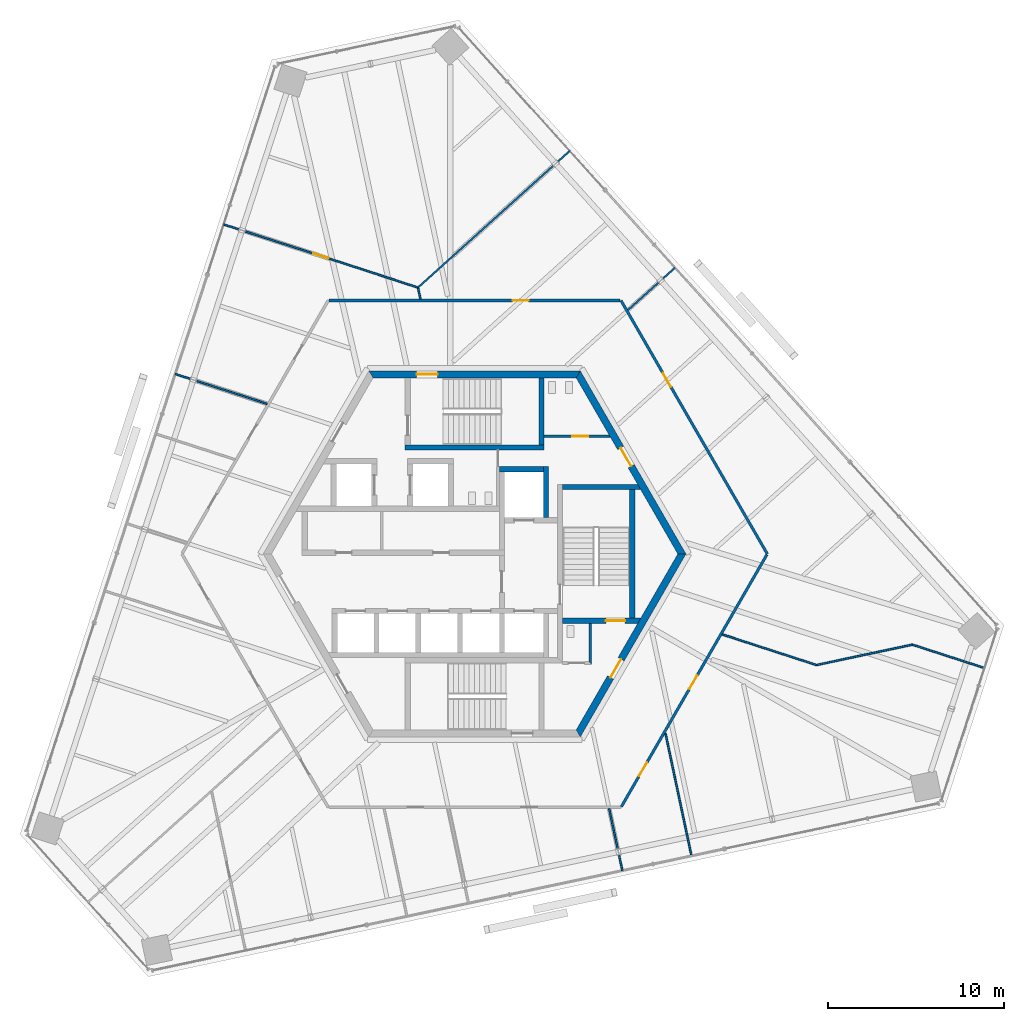
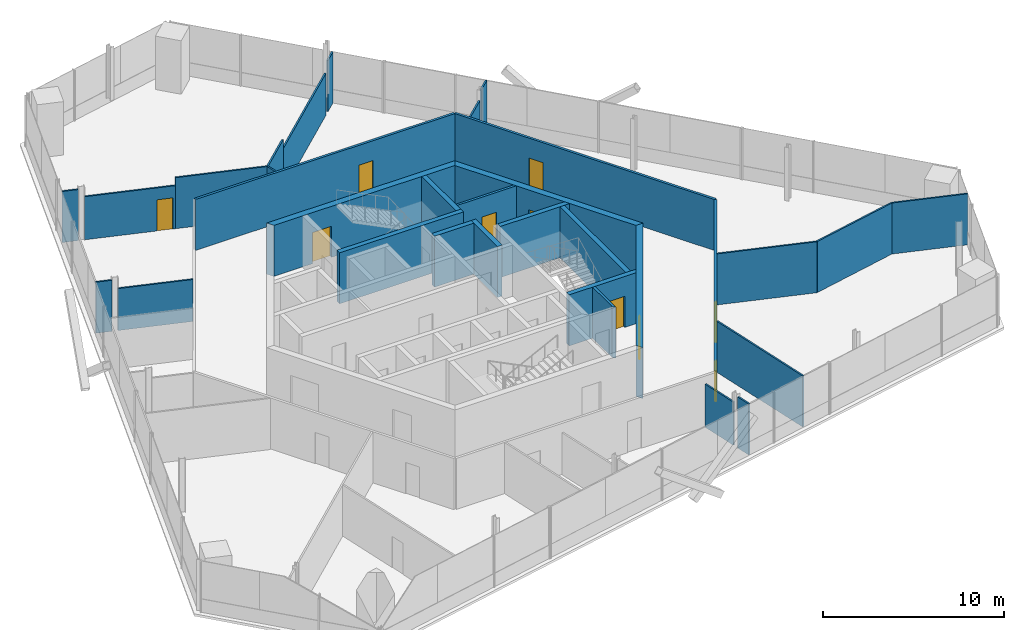
# One storey, part 12 of 15: 32 walls, 10 doors, 10 openings.
"""IFC4 building model written with IfcOpenShell, lengths in metres."""

from ifc_helpers import new_model, si_unit, direction, frame, frame_2d, origin, place, context, subcontext, project, spatial, polyline, rectangle, outline, extrude, source, transform, mapped, material, layer, layer_set, type_object, element, fill, save


model = new_model("IFC4")

# Units and contexts
model_context = context("Model", 3, precision=1e-05, world=origin(), true_north=direction((0.0, 1.0)))
body_context = subcontext(model_context, "Body", "Model", "MODEL_VIEW")
ifc_project = project(units=[si_unit("LENGTHUNIT", "METRE"), si_unit("AREAUNIT", "SQUARE_METRE"), si_unit("VOLUMEUNIT", "CUBIC_METRE"), si_unit("PLANEANGLEUNIT", "RADIAN"), si_unit("MASSUNIT", "GRAM", prefix="KILO")], contexts=[model_context])

# Site, building, storey
site_placement = place(None, origin())
site = spatial("IfcSite", under=ifc_project, at=site_placement, CompositionType="ELEMENT")
building_placement = place(site_placement, origin())
building = spatial("IfcBuilding", under=site, at=building_placement, Name="Triune Harvest Tower", CompositionType="ELEMENT")
storey_placement = place(building_placement, frame((0.0, 0.0, 277.5)))
storey = spatial("IfcBuildingStorey", under=building, at=storey_placement, Name="L73", CompositionType="ELEMENT", Elevation=277.5)

# Wall, opening, door
ifc_material_1 = material(Name="Gypsum board on steel studs", Category="steel")
ifc_layer_1 = layer(ifc_material_1, 0.14990234375)
ifc_layer_set_1 = layer_set([ifc_layer_1], Name="Gypsum board on steel studs")
wall_type_1 = type_object("IfcWallType", Name="Fire Partition 150 mm", PredefinedType="PARTITIONING", material=ifc_layer_set_1)
wall_1_placement = place(storey_placement, frame((8.30908203125, 14.392578125, 0.0), z_axis=(0.0, 0.0, 1.0), x_axis=(0.49998143435, -0.866036122402, 0.0)))
wall_1 = element("IfcWall", 1, at=wall_1_placement, inside=storey, type_object=wall_type_1, Name="Partition L73 010", PredefinedType="PARTITIONING", context=body_context, shape_type="SweptSolid", body=[
    extrude(rectangle(XDim=16.619873046875, YDim=0.14990234375, at=frame_2d((8.31005859375, 0.0))), origin(), (0.0, 0.0, 1.0), 3.43994140625),
])
opening_1_placement = place(wall_1_placement, frame((4.764404296875, 0.0, 0.0)))
opening_1 = element("IfcOpeningElement", 2, at=opening_1_placement, cuts=wall_1, Name="Opening L73-001", PredefinedType="OPENING", context=body_context, shape_type="SweptSolid", body=[
    extrude(rectangle(XDim=0.89990234375, YDim=2.10009765625, at=frame_2d((0.449951171875, 1.050048828125))), frame((0.0, 0.0849609375, 0.0), z_axis=(0.0, -1.0, 0.0), x_axis=(1.0, 0.0, 0.0)), (0.0, 0.0, 1.0), 0.169921875),
])
ifc_material_2 = material(Name="Timber and steel door set", Category="steel")
door_type_1 = type_object("IfcDoorType", Name="Single leaf door FD30 left hand 900 x 2100", OperationType="SINGLE_SWING_LEFT", PredefinedType="DOOR", material=ifc_material_2)
door_1_placement = place(opening_1_placement, origin())
door_1 = element("IfcDoor", 3, at=door_1_placement, inside=storey, type_object=door_type_1, Name="Door L73-001 Executive Suite 73.01", OperationType="SINGLE_SWING_LEFT", OverallHeight=2.10009765625, OverallWidth=0.89990234375, PredefinedType="DOOR", context=body_context, shape_type="SweptSolid", body=[
    extrude(rectangle(XDim=0.89990234375, YDim=2.10009765625, at=frame_2d((0.449951171875, 1.050048828125))), frame((0.0, 0.02490234375, 0.0), z_axis=(0.0, -1.0, 0.0), x_axis=(1.0, 0.0, 0.0)), (0.0, 0.0, 1.0), 0.050048828125),
])
fill(opening_1, door_1)

wall_2_placement = place(storey_placement, frame((-8.259521484375, 14.392333984375, 0.0), z_axis=(0.0, 0.0, 1.0), x_axis=(1.0, 0.0, 0.0)))
wall_2 = element("IfcWall", 4, at=wall_2_placement, inside=storey, type_object=wall_type_1, Name="Partition L73 022", PredefinedType="PARTITIONING", context=body_context, shape_type="SweptSolid", body=[
    extrude(rectangle(XDim=16.51904296875, YDim=0.14990234375, at=frame_2d((8.259521484375, 0.0))), origin(), (0.0, 0.0, 1.0), 3.43994140625),
])
opening_2_placement = place(wall_2_placement, frame((10.418701171875, 0.0, 0.0)))
opening_2 = element("IfcOpeningElement", 5, at=opening_2_placement, cuts=wall_2, Name="Opening L73-002", PredefinedType="OPENING", context=body_context, shape_type="SweptSolid", body=[
    extrude(rectangle(XDim=0.89990234375, YDim=2.10009765625, at=frame_2d((0.449951171875, 1.050048828125))), frame((0.0, 0.0849609375, 0.0), z_axis=(0.0, -1.0, 0.0), x_axis=(1.0, 0.0, 0.0)), (0.0, 0.0, 1.0), 0.169921875),
])
ifc_material_3 = material(Name="Timber and steel door set", Category="steel")
door_type_2 = type_object("IfcDoorType", Name="Single leaf door FD30 right hand 900 x 2100", OperationType="SINGLE_SWING_RIGHT", PredefinedType="DOOR", material=ifc_material_3)
door_2_placement = place(opening_2_placement, origin())
door_2 = element("IfcDoor", 6, at=door_2_placement, inside=storey, type_object=door_type_2, Name="Door L73-002 Office 73.02", OperationType="SINGLE_SWING_RIGHT", OverallHeight=2.10009765625, OverallWidth=0.89990234375, PredefinedType="DOOR", context=body_context, shape_type="SweptSolid", body=[
    extrude(rectangle(XDim=0.89990234375, YDim=2.10009765625, at=frame_2d((0.449951171875, 1.050048828125))), frame((0.0, 0.02490234375, 0.0), z_axis=(0.0, -1.0, 0.0), x_axis=(1.0, 0.0, 0.0)), (0.0, 0.0, 1.0), 0.050048828125),
])
fill(opening_2, door_2)

# Wall, openings, doors
wall_3_placement = place(storey_placement, frame((8.33447265625, -14.34912109375, 0.0), z_axis=(0.0, 0.0, 1.0), x_axis=(0.499988984938, 0.86603176324, 0.0)))
wall_3 = element("IfcWall", 7, at=wall_3_placement, inside=storey, type_object=wall_type_1, Name="Partition L73 030", PredefinedType="PARTITIONING", context=body_context, shape_type="SweptSolid", body=[
    extrude(rectangle(XDim=16.518798828125, YDim=0.14990234375, at=frame_2d((8.25927734375, 0.0))), origin(), (0.0, 0.0, 1.0), 3.43994140625),
])
opening_3_placement = place(wall_3_placement, frame((2.0, 0.0, 0.0)))
opening_3 = element("IfcOpeningElement", 8, at=opening_3_placement, cuts=wall_3, Name="Opening L73-013", PredefinedType="OPENING", context=body_context, shape_type="SweptSolid", body=[
    extrude(rectangle(XDim=0.89990234375, YDim=2.10009765625, at=frame_2d((0.449951171875, 1.050048828125))), frame((0.0, 0.0849609375, 0.0), z_axis=(0.0, -1.0, 0.0), x_axis=(1.0, 0.0, 0.0)), (0.0, 0.0, 1.0), 0.169921875),
])
opening_4_placement = place(wall_3_placement, frame((7.700927734375, 0.0, 0.0)))
opening_4 = element("IfcOpeningElement", 9, at=opening_4_placement, cuts=wall_3, Name="Opening L73-014", PredefinedType="OPENING", context=body_context, shape_type="SweptSolid", body=[
    extrude(rectangle(XDim=0.89990234375, YDim=2.10009765625, at=frame_2d((0.449951171875, 1.050048828125))), frame((0.0, 0.0849609375, 0.0), z_axis=(0.0, -1.0, 0.0), x_axis=(1.0, 0.0, 0.0)), (0.0, 0.0, 1.0), 0.169921875),
])
door_3_placement = place(opening_3_placement, origin())
door_3 = element("IfcDoor", 10, at=door_3_placement, inside=storey, type_object=door_type_2, Name="Door L73-013 Office 73.13", OperationType="SINGLE_SWING_RIGHT", OverallHeight=2.10009765625, OverallWidth=0.89990234375, PredefinedType="DOOR", context=body_context, shape_type="SweptSolid", body=[
    extrude(rectangle(XDim=0.89990234375, YDim=2.10009765625, at=frame_2d((0.449951171875, 1.050048828125))), frame((0.0, 0.02490234375, 0.0), z_axis=(0.0, -1.0, 0.0), x_axis=(1.0, 0.0, 0.0)), (0.0, 0.0, 1.0), 0.050048828125),
])
fill(opening_3, door_3)
door_4_placement = place(opening_4_placement, origin())
door_4 = element("IfcDoor", 11, at=door_4_placement, inside=storey, type_object=door_type_2, Name="Door L73-014 Office 73.14", OperationType="SINGLE_SWING_RIGHT", OverallHeight=2.10009765625, OverallWidth=0.89990234375, PredefinedType="DOOR", context=body_context, shape_type="SweptSolid", body=[
    extrude(rectangle(XDim=0.89990234375, YDim=2.10009765625, at=frame_2d((0.449951171875, 1.050048828125))), frame((0.0, 0.02490234375, 0.0), z_axis=(0.0, -1.0, 0.0), x_axis=(1.0, 0.0, 0.0)), (0.0, 0.0, 1.0), 0.050048828125),
])
fill(opening_4, door_4)

# Walls
ifc_material_4 = material(Name="Gypsum board on steel studs", Category="steel")
ifc_layer_2 = layer(ifc_material_4, 0.10009765625)
ifc_layer_set_2 = layer_set([ifc_layer_2], Name="Gypsum board on steel studs")
wall_type_2 = type_object("IfcWallType", Name="Partition 100 mm", PredefinedType="PARTITIONING", material=ifc_layer_set_2)
wall_4_placement = place(storey_placement, frame((-3.2109375, 15.106201171875, 0.0), z_axis=(0.0, 0.0, 1.0), x_axis=(0.207911850433, -0.978147566806, 0.0)))
element("IfcWall", 12, at=wall_4_placement, inside=storey, type_object=wall_type_2, Name="Partition L73 005", PredefinedType="PARTITIONING", context=body_context, shape_type="SweptSolid", body=[
    extrude(rectangle(XDim=0.659912109375, YDim=0.10009765625, at=frame_2d((0.330078125, 0.0))), origin(), (0.0, 0.0, 1.0), 3.43994140625),
])
wall_5_placement = place(storey_placement, frame((7.6376953125, -14.461181640625, 0.0), z_axis=(0.0, 0.0, 1.0), x_axis=(0.207954797285, -0.978138437179, 0.0)))
element("IfcWall", 13, at=wall_5_placement, inside=storey, type_object=wall_type_2, Name="Partition L73 006", PredefinedType="PARTITIONING", context=body_context, shape_type="SweptSolid", body=[
    extrude(rectangle(XDim=2.341064453125, YDim=0.10009765625, at=frame_2d((1.17041015625, 0.0))), origin(), (0.0, 0.0, 1.0), 2.904052734375),
])
wall_6_placement = place(storey_placement, frame((10.8388671875, -10.198486328125, 0.0), z_axis=(0.0, 0.0, 1.0), x_axis=(0.207910979504, -0.978147751928, 0.0)))
element("IfcWall", 14, at=wall_6_placement, inside=storey, type_object=wall_type_2, Name="Partition L73 008", PredefinedType="PARTITIONING", context=body_context, shape_type="SweptSolid", body=[
    extrude(rectangle(XDim=7.100830078125, YDim=0.10009765625, at=frame_2d((3.55029296875, 0.0))), origin(), (0.0, 0.0, 1.0), 3.43994140625),
])
wall_7_placement = place(storey_placement, frame((14.060302734375, -4.568359375, 0.0), z_axis=(0.0, 0.0, 1.0), x_axis=(0.951053501337, -0.309026273307, 0.0)))
element("IfcWall", 15, at=wall_7_placement, inside=storey, type_object=wall_type_2, Name="Partition L73 014", PredefinedType="PARTITIONING", context=body_context, shape_type="SweptSolid", body=[
    extrude(rectangle(XDim=5.63134765625, YDim=0.10009765625, at=frame_2d((2.815673828125, 0.0))), origin(), (0.0, 0.0, 1.0), 3.43994140625),
])
wall_8_placement = place(storey_placement, frame((24.87158203125, -5.154052734375, 0.0), z_axis=(0.0, 0.0, 1.0), x_axis=(0.951068352343, -0.308980564391, 0.0)))
element("IfcWall", 16, at=wall_8_placement, inside=storey, type_object=wall_type_2, Name="Partition L73 016", PredefinedType="PARTITIONING", context=body_context, shape_type="SweptSolid", body=[
    extrude(rectangle(XDim=4.29052734375, YDim=0.10009765625, at=frame_2d((2.145263671875, 0.0))), origin(), (0.0, 0.0, 1.0), 3.43994140625),
])
wall_9_placement = place(storey_placement, frame((-8.16064453125, 16.73291015625, 0.0), z_axis=(0.0, 0.0, 1.0), x_axis=(0.951050346019, -0.309035983887, 0.0)))
element("IfcWall", 17, at=wall_9_placement, inside=storey, type_object=wall_type_2, Name="Partition L73 020a", PredefinedType="PARTITIONING", context=body_context, shape_type="SweptSolid", body=[
    extrude(rectangle(XDim=5.18017578125, YDim=0.10009765625, at=frame_2d((2.590087890625, 0.0))), origin(), (0.0, 0.0, 1.0), 3.43994140625),
])
wall_10_placement = place(storey_placement, frame((-3.215087890625, 15.125732421875, 0.0), z_axis=(0.0, 0.0, 1.0), x_axis=(0.743140047759, 0.669135912515, 0.0)))
element("IfcWall", 18, at=wall_10_placement, inside=storey, type_object=wall_type_2, Name="Partition L73 028", PredefinedType="PARTITIONING", context=body_context, shape_type="SweptSolid", body=[
    extrude(rectangle(XDim=2.6787109375, YDim=0.10009765625, at=frame_2d((1.33935546875, 0.0))), origin(), (0.0, 0.0, 1.0), 3.43994140625),
])

# Wall, opening, door
ifc_material_5 = material(Name="Concrete 70 MPa", Category="concrete")
ifc_layer_3 = layer(ifc_material_5, 0.39990234375)
ifc_layer_set_3 = layer_set([ifc_layer_3], Name="Concrete 70 MPa")
wall_type_3 = type_object("IfcWallType", Name="Core wall 400", PredefinedType="SHEAR", material=ifc_layer_set_3)
shared_shape_1 = source(origin(), body_context, "Body", "SweptSolid", [
    extrude(outline(polyline([(-0.115478515625, -0.199951171875), (11.884521484375, -0.199951171875), (11.653564453125, 0.199951171875), (0.115478515625, 0.199951171875), (-0.115478515625, -0.199951171875)])), origin(), (0.0, 0.0, 1.0), 3.43994140625),
])
wall_11_placement = place(storey_placement, frame((11.76904296875, 0.0, 0.0), z_axis=(0.0, 0.0, 1.0), x_axis=(-0.499996592174, 0.866027371285, 0.0)))
wall_11 = element("IfcWall", 19, at=wall_11_placement, inside=storey, type_object=wall_type_3, Name="Hexagon 0 wall", PredefinedType="SHEAR", context=body_context, shape_type="MappedRepresentation", body=[
    mapped(shared_shape_1, transform((0.0, 0.0, 0.0), scale=1.0)),
])
opening_5_placement = place(wall_11_placement, frame((5.75048828125, 0.0, 0.0)))
opening_5 = element("IfcOpeningElement", 20, at=opening_5_placement, cuts=wall_11, Name="Opening CD-WCP", PredefinedType="OPENING", context=body_context, shape_type="SweptSolid", body=[
    extrude(rectangle(XDim=1.199951171875, YDim=2.10009765625, at=frame_2d((0.60009765625, 1.050048828125))), frame((0.0, 0.2099609375, 0.0), z_axis=(0.0, -1.0, 0.0), x_axis=(1.0, 0.0, 0.0)), (0.0, 0.0, 1.0), 0.419921875),
])
ifc_material_6 = material(Name="Steel S235", Category="steel")
door_type_3 = type_object("IfcDoorType", Name="Lobby door 1200 FD120", OperationType="SINGLE_SWING_LEFT", PredefinedType="DOOR", material=ifc_material_6)
door_5_placement = place(opening_5_placement, frame((1.199951171875, 0.0, 0.0), z_axis=(0.0, 0.0, 1.0), x_axis=(-1.0, 0.0, 0.0)))
door_5 = element("IfcDoor", 21, at=door_5_placement, inside=storey, type_object=door_type_3, Name="Door CD-WCP", OperationType="SINGLE_SWING_RIGHT", OverallHeight=2.10009765625, OverallWidth=1.199951171875, PredefinedType="DOOR", context=body_context, shape_type="SweptSolid", body=[
    extrude(rectangle(XDim=1.199951171875, YDim=2.10009765625, at=frame_2d((0.60009765625, 1.050048828125))), frame((0.0, 0.02490234375, 0.0), z_axis=(0.0, -1.0, 0.0), x_axis=(1.0, 0.0, 0.0)), (0.0, 0.0, 1.0), 0.050048828125),
])
fill(opening_5, door_5)

wall_12_placement = place(storey_placement, frame((5.884521484375, 10.1923828125, 0.0), z_axis=(0.0, 0.0, 1.0), x_axis=(-1.0, 0.0, 0.0)))
wall_12 = element("IfcWall", 22, at=wall_12_placement, inside=storey, type_object=wall_type_3, Name="Hexagon 1 wall", PredefinedType="SHEAR", context=body_context, shape_type="MappedRepresentation", body=[
    mapped(shared_shape_1, transform((0.0, 0.0, 0.0), scale=1.0)),
])
opening_6_placement = place(wall_12_placement, frame((7.984619140625, 0.0, 0.0)))
opening_6 = element("IfcOpeningElement", 23, at=opening_6_placement, cuts=wall_12, Name="Opening CD-S1P", PredefinedType="OPENING", context=body_context, shape_type="SweptSolid", body=[
    extrude(rectangle(XDim=1.199951171875, YDim=2.10009765625, at=frame_2d((0.60009765625, 1.050048828125))), frame((0.0, 0.2099609375, 0.0), z_axis=(0.0, -1.0, 0.0), x_axis=(1.0, 0.0, 0.0)), (0.0, 0.0, 1.0), 0.419921875),
])
ifc_material_7 = material(Name="Steel S235", Category="steel")
door_type_4 = type_object("IfcDoorType", Name="Stair door 1200 FD120", OperationType="SINGLE_SWING_LEFT", PredefinedType="DOOR", material=ifc_material_7)
door_6_placement = place(opening_6_placement, frame((1.199951171875, 0.0, 0.0), z_axis=(0.0, 0.0, 1.0), x_axis=(-1.0, 0.0, 0.0)))
door_6 = element("IfcDoor", 24, at=door_6_placement, inside=storey, type_object=door_type_4, Name="Door CD-S1P", OperationType="SINGLE_SWING_RIGHT", OverallHeight=2.10009765625, OverallWidth=1.199951171875, PredefinedType="DOOR", context=body_context, shape_type="SweptSolid", body=[
    extrude(rectangle(XDim=1.199951171875, YDim=2.10009765625, at=frame_2d((0.60009765625, 1.050048828125))), frame((0.0, 0.02490234375, 0.0), z_axis=(0.0, -1.0, 0.0), x_axis=(1.0, 0.0, 0.0)), (0.0, 0.0, 1.0), 0.050048828125),
])
fill(opening_6, door_6)

wall_13_placement = place(storey_placement, frame((5.884521484375, -10.1923828125, 0.0), z_axis=(0.0, 0.0, 1.0), x_axis=(0.499996592174, 0.866027371285, 0.0)))
wall_13 = element("IfcWall", 25, at=wall_13_placement, inside=storey, type_object=wall_type_3, Name="Hexagon 5 wall", PredefinedType="SHEAR", context=body_context, shape_type="MappedRepresentation", body=[
    mapped(shared_shape_1, transform((0.0, 0.0, 0.0), scale=1.0)),
])
opening_7_placement = place(wall_13_placement, frame((3.66455078125, 0.0, 0.0)))
opening_7 = element("IfcOpeningElement", 26, at=opening_7_placement, cuts=wall_13, Name="Opening CD-DP", PredefinedType="OPENING", context=body_context, shape_type="SweptSolid", body=[
    extrude(rectangle(XDim=1.199951171875, YDim=2.10009765625, at=frame_2d((0.60009765625, 1.050048828125))), frame((0.0, 0.2099609375, 0.0), z_axis=(0.0, -1.0, 0.0), x_axis=(1.0, 0.0, 0.0)), (0.0, 0.0, 1.0), 0.419921875),
])
door_7_placement = place(opening_7_placement, frame((1.199951171875, 0.0, 0.0), z_axis=(0.0, 0.0, 1.0), x_axis=(-1.0, 0.0, 0.0)))
door_7 = element("IfcDoor", 27, at=door_7_placement, inside=storey, type_object=door_type_4, Name="Door CD-DP", OperationType="SINGLE_SWING_RIGHT", OverallHeight=2.10009765625, OverallWidth=1.199951171875, PredefinedType="DOOR", context=body_context, shape_type="SweptSolid", body=[
    extrude(rectangle(XDim=1.199951171875, YDim=2.10009765625, at=frame_2d((0.60009765625, 1.050048828125))), frame((0.0, 0.02490234375, 0.0), z_axis=(0.0, -1.0, 0.0), x_axis=(1.0, 0.0, 0.0)), (0.0, 0.0, 1.0), 0.050048828125),
])
fill(opening_7, door_7)

# Walls
ifc_material_8 = material(Name="Concrete 70 MPa", Category="concrete")
ifc_layer_4 = layer(ifc_material_8, 0.300048828125)
ifc_layer_set_4 = layer_set([ifc_layer_4], Name="Concrete 70 MPa")
wall_type_4 = type_object("IfcWallType", Name="Core wall 300", PredefinedType="SHEAR", material=ifc_layer_set_4)
shared_shape_2 = source(origin(), body_context, "Body", "SweptSolid", [
    extrude(rectangle(XDim=2.5, YDim=0.300048828125, at=frame_2d((1.25, 0.0))), origin(), (0.0, 0.0, 1.0), 3.43994140625),
])
wall_14_placement = place(storey_placement, frame((1.39990234375, 4.81005859375, 0.0), z_axis=(0.0, 0.0, 1.0), x_axis=(1.0, 0.0, 0.0)))
element("IfcWall", 28, at=wall_14_placement, inside=storey, type_object=wall_type_4, Name="Ff1 back wall", PredefinedType="SHEAR", context=body_context, shape_type="MappedRepresentation", body=[
    mapped(shared_shape_2, transform((0.0, 0.0, 0.0), scale=1.0)),
])
shared_shape_3 = source(origin(), body_context, "Body", "SweptSolid", [
    extrude(rectangle(XDim=2.89990234375, YDim=0.300048828125, at=frame_2d((1.449951171875, 0.0))), origin(), (0.0, 0.0, 1.0), 3.43994140625),
])
wall_15_placement = place(storey_placement, frame((4.050048828125, 2.06005859375, 0.0), z_axis=(0.0, 0.0, 1.0), x_axis=(0.0, 1.0, 0.0)))
element("IfcWall", 29, at=wall_15_placement, inside=storey, type_object=wall_type_4, Name="Ff1 east wall", PredefinedType="SHEAR", context=body_context, shape_type="MappedRepresentation", body=[
    mapped(shared_shape_3, transform((0.0, 0.0, 0.0), scale=1.0)),
])
shared_shape_4 = source(origin(), body_context, "Body", "SweptSolid", [
    extrude(outline(polyline([(0.0, -0.14990234375), (0.0, 0.14990234375), (4.260009765625, 0.14990234375), (4.43310546875, -0.14990234375), (0.0, -0.14990234375)])), origin(), (0.0, 0.0, 1.0), 3.43994140625),
])
wall_16_placement = place(storey_placement, frame((5.0, 3.800048828125, 0.0), z_axis=(0.0, 0.0, 1.0), x_axis=(1.0, 0.0, 0.0)))
element("IfcWall", 30, at=wall_16_placement, inside=storey, type_object=wall_type_4, Name="Stair e north wall", PredefinedType="SHEAR", context=body_context, shape_type="MappedRepresentation", body=[
    mapped(shared_shape_4, transform((0.0, 0.0, 0.0), scale=1.0)),
])

# Wall, opening, door
shared_shape_5 = source(origin(), body_context, "Body", "SweptSolid", [
    extrude(outline(polyline([(0.0, -0.14990234375), (0.0, 0.14990234375), (4.43310546875, 0.14990234375), (4.260009765625, -0.14990234375), (0.0, -0.14990234375)])), origin(), (0.0, 0.0, 1.0), 3.43994140625),
])
wall_17_placement = place(storey_placement, frame((5.0, -3.800048828125, 0.0), z_axis=(0.0, 0.0, 1.0), x_axis=(1.0, 0.0, 0.0)))
wall_17 = element("IfcWall", 31, at=wall_17_placement, inside=storey, type_object=wall_type_4, Name="Stair e south wall", PredefinedType="SHEAR", context=body_context, shape_type="MappedRepresentation", body=[
    mapped(shared_shape_5, transform((0.0, 0.0, 0.0), scale=1.0)),
])
opening_8_placement = place(wall_17_placement, frame((2.449951171875, 0.0, 0.0)))
opening_8 = element("IfcOpeningElement", 32, at=opening_8_placement, cuts=wall_17, Name="Opening CD-S3D", PredefinedType="OPENING", context=body_context, shape_type="SweptSolid", body=[
    extrude(rectangle(XDim=1.10009765625, YDim=2.10009765625, at=frame_2d((0.550048828125, 1.050048828125))), frame((0.0, 0.16015625, 0.0), z_axis=(0.0, -1.0, 0.0), x_axis=(1.0, 0.0, 0.0)), (0.0, 0.0, 1.0), 0.320068359375),
])
ifc_material_9 = material(Name="Steel S235", Category="steel")
door_type_5 = type_object("IfcDoorType", Name="Stair door 1100 FD120", OperationType="SINGLE_SWING_LEFT", PredefinedType="DOOR", material=ifc_material_9)
door_8_placement = place(opening_8_placement, frame((1.10009765625, 0.0, 0.0), z_axis=(0.0, 0.0, 1.0), x_axis=(-1.0, 0.0, 0.0)))
door_8 = element("IfcDoor", 33, at=door_8_placement, inside=storey, type_object=door_type_5, Name="Door CD-S3D", OperationType="SINGLE_SWING_RIGHT", OverallHeight=2.10009765625, OverallWidth=1.10009765625, PredefinedType="DOOR", context=body_context, shape_type="SweptSolid", body=[
    extrude(rectangle(XDim=1.10009765625, YDim=2.10009765625, at=frame_2d((0.550048828125, 1.050048828125))), frame((0.0, 0.02490234375, 0.0), z_axis=(0.0, -1.0, 0.0), x_axis=(1.0, 0.0, 0.0)), (0.0, 0.0, 1.0), 0.050048828125),
])
fill(opening_8, door_8)

# Walls
shared_shape_6 = source(origin(), body_context, "Body", "SweptSolid", [
    extrude(rectangle(XDim=7.2998046875, YDim=0.300048828125, at=frame_2d((3.64990234375, 0.0))), origin(), (0.0, 0.0, 1.0), 3.43994140625),
])
wall_18_placement = place(storey_placement, frame((8.949951171875, -3.64990234375, 0.0), z_axis=(0.0, 0.0, 1.0), x_axis=(0.0, 1.0, 0.0)))
element("IfcWall", 34, at=wall_18_placement, inside=storey, type_object=wall_type_4, Name="Stair e east wall", PredefinedType="SHEAR", context=body_context, shape_type="MappedRepresentation", body=[
    mapped(shared_shape_6, transform((0.0, 0.0, 0.0), scale=1.0)),
])
shared_shape_7 = source(origin(), body_context, "Body", "SweptSolid", [
    extrude(rectangle(XDim=7.89990234375, YDim=0.300048828125, at=frame_2d((3.949951171875, 0.0))), origin(), (0.0, 0.0, 1.0), 3.43994140625),
])
wall_19_placement = place(storey_placement, frame((-3.949951171875, 6.0400390625, 0.0), z_axis=(0.0, 0.0, 1.0), x_axis=(1.0, 0.0, 0.0)))
element("IfcWall", 35, at=wall_19_placement, inside=storey, type_object=wall_type_4, Name="Stair n south wall", PredefinedType="SHEAR", context=body_context, shape_type="MappedRepresentation", body=[
    mapped(shared_shape_7, transform((0.0, 0.0, 0.0), scale=1.0)),
])
shared_shape_8 = source(origin(), body_context, "Body", "SweptSolid", [
    extrude(outline(polyline([(0.0, -0.14990234375), (0.0, 0.14990234375), (3.80419921875, 0.14990234375), (3.80419921875, -0.14990234375), (0.0, -0.14990234375)])), origin(), (0.0, 0.0, 1.0), 3.43994140625),
])
wall_20_placement = place(storey_placement, frame((3.800048828125, 6.18994140625, 0.0), z_axis=(0.0, 0.0, 1.0), x_axis=(0.0, 1.0, 0.0)))
element("IfcWall", 36, at=wall_20_placement, inside=storey, type_object=wall_type_4, Name="Stair n east wall", PredefinedType="SHEAR", context=body_context, shape_type="MappedRepresentation", body=[
    mapped(shared_shape_8, transform((0.0, 0.0, 0.0), scale=1.0)),
])

# Wall, opening, door
ifc_material_10 = material(Name="Concrete masonry unit", Category="masonry")
ifc_layer_5 = layer(ifc_material_10, 0.14990234375)
ifc_layer_set_5 = layer_set([ifc_layer_5], Name="Concrete masonry unit")
wall_type_5 = type_object("IfcWallType", Name="Block partition 150 unrated", PredefinedType="PARTITIONING", material=ifc_layer_set_5)
shared_shape_9 = source(origin(), body_context, "Body", "SweptSolid", [
    extrude(outline(polyline([(0.0, -0.074951171875), (0.0, 0.074951171875), (3.693359375, 0.074951171875), (3.77978515625, -0.074951171875), (0.0, -0.074951171875)])), origin(), (0.0, 0.0, 1.0), 3.43994140625),
])
wall_21_placement = place(storey_placement, frame((3.949951171875, 6.675048828125, 0.0), z_axis=(0.0, 0.0, 1.0), x_axis=(1.0, 0.0, 0.0)))
wall_21 = element("IfcWall", 37, at=wall_21_placement, inside=storey, type_object=wall_type_5, Name="Wc women south wall", PredefinedType="PARTITIONING", context=body_context, shape_type="MappedRepresentation", body=[
    mapped(shared_shape_9, transform((0.0, 0.0, 0.0), scale=1.0)),
])
opening_9_placement = place(wall_21_placement, frame((1.60009765625, 0.0, 0.0)))
opening_9 = element("IfcOpeningElement", 38, at=opening_9_placement, cuts=wall_21, Name="Opening CD-WW", PredefinedType="OPENING", context=body_context, shape_type="SweptSolid", body=[
    extrude(rectangle(XDim=0.89990234375, YDim=2.10009765625, at=frame_2d((0.449951171875, 1.050048828125))), frame((0.0, 0.0849609375, 0.0), z_axis=(0.0, -1.0, 0.0), x_axis=(1.0, 0.0, 0.0)), (0.0, 0.0, 1.0), 0.169921875),
])
ifc_material_11 = material(Name="Timber C24", Category="wood")
door_type_6 = type_object("IfcDoorType", Name="WC door 900", OperationType="SINGLE_SWING_LEFT", PredefinedType="DOOR", material=ifc_material_11)
door_9_placement = place(opening_9_placement, origin())
door_9 = element("IfcDoor", 39, at=door_9_placement, inside=storey, type_object=door_type_6, Name="Door CD-WW", OperationType="SINGLE_SWING_LEFT", OverallHeight=2.10009765625, OverallWidth=0.89990234375, PredefinedType="DOOR", context=body_context, shape_type="SweptSolid", body=[
    extrude(rectangle(XDim=0.89990234375, YDim=2.10009765625, at=frame_2d((0.449951171875, 1.050048828125))), frame((0.0, 0.02490234375, 0.0), z_axis=(0.0, -1.0, 0.0), x_axis=(1.0, 0.0, 0.0)), (0.0, 0.0, 1.0), 0.050048828125),
])
fill(opening_9, door_9)

# Walls
shared_shape_10 = source(origin(), body_context, "Body", "SweptSolid", [
    extrude(outline(polyline([(-0.074951171875, -0.074951171875), (2.239990234375, -0.074951171875), (2.239990234375, 0.074951171875), (0.074951171875, 0.074951171875), (-0.074951171875, -0.074951171875)])), origin(), (0.0, 0.0, 1.0), 3.43994140625),
])
wall_22_placement = place(storey_placement, frame((6.574951171875, -6.18994140625, 0.0), z_axis=(0.0, 0.0, 1.0), x_axis=(0.0, 1.0, 0.0)))
element("IfcWall", 40, at=wall_22_placement, inside=storey, type_object=wall_type_5, Name="Wc acc east wall", PredefinedType="PARTITIONING", context=body_context, shape_type="MappedRepresentation", body=[
    mapped(shared_shape_10, transform((0.0, 0.0, 0.0), scale=1.0)),
])
shared_shape_11 = source(origin(), body_context, "Body", "SweptSolid", [
    extrude(rectangle(XDim=0.91552734375, YDim=0.10009765625, at=frame_2d((0.457763671875, 0.0))), origin(), (0.0, 0.0, 1.0), 3.43994140625),
])
wall_23_placement = place(storey_placement, frame((-14.24560546875, 18.7099609375, 0.0), z_axis=(0.0, 0.0, 1.0), x_axis=(0.951030148904, -0.309098133084, 0.0)))
element("IfcWall", 41, at=wall_23_placement, inside=storey, type_object=wall_type_2, Name="Partition L73 019", PredefinedType="PARTITIONING", context=body_context, shape_type="MappedRepresentation", body=[
    mapped(shared_shape_11, transform((0.0, 0.0, 0.0), scale=1.0)),
])
shared_shape_12 = source(origin(), body_context, "Body", "SweptSolid", [
    extrude(rectangle(XDim=0.9150390625, YDim=0.10009765625, at=frame_2d((0.45751953125, 0.0))), origin(), (0.0, 0.0, 1.0), 3.43994140625),
])
wall_24_placement = place(storey_placement, frame((8.1953125, -17.083984375, 0.0), z_axis=(0.0, 0.0, 1.0), x_axis=(0.207852373529, -0.978160207133, 0.0)))
element("IfcWall", 42, at=wall_24_placement, inside=storey, type_object=wall_type_2, Name="Partition L73 007", PredefinedType="PARTITIONING", context=body_context, shape_type="MappedRepresentation", body=[
    mapped(shared_shape_12, transform((0.0, 0.0, 0.0), scale=1.0)),
])
shared_shape_13 = source(origin(), body_context, "Body", "SweptSolid", [
    extrude(rectangle(XDim=5.55810546875, YDim=0.10009765625, at=frame_2d((2.779052734375, 0.0))), origin(), (0.0, 0.0, 1.0), 3.43994140625),
])
wall_25_placement = place(storey_placement, frame((19.42578125, -6.306640625, 0.0), z_axis=(0.0, 0.0, 1.0), x_axis=(0.978140538672, 0.207944912434, 0.0)))
element("IfcWall", 43, at=wall_25_placement, inside=storey, type_object=wall_type_2, Name="Partition L73 023", PredefinedType="PARTITIONING", context=body_context, shape_type="MappedRepresentation", body=[
    mapped(shared_shape_13, transform((0.0, 0.0, 0.0), scale=1.0)),
])
shared_shape_14 = source(origin(), body_context, "Body", "SweptSolid", [
    extrude(rectangle(XDim=0.915283203125, YDim=0.10009765625, at=frame_2d((0.45751953125, 0.0))), origin(), (0.0, 0.0, 1.0), 3.43994140625),
])
for number, where, z_axis, x_axis, name in (
    (44, (-17.00439453125, 10.21875, 0.0), (0.0, 0.0, 1.0), (0.951108522522, -0.308856889815, 0.0), "Partition L73 017"),
    (45, (10.69775390625, 15.63916015625, 0.0), (0.0, 0.0, 1.0), (0.743081911728, 0.669200472551, 0.0), "Partition L73 027"),
    (46, (4.723876953125, 22.27392578125, 0.0), (0.0, 0.0, 1.0), (0.743081911728, 0.669200472551, 0.0), "Partition L73 029"),
):
    element("IfcWall", number, at=place(storey_placement, frame(where, z_axis=z_axis, x_axis=x_axis)), inside=storey, type_object=wall_type_2, Name=name, PredefinedType="PARTITIONING", context=body_context, shape_type="MappedRepresentation", body=[
        mapped(shared_shape_14, transform((0.0, 0.0, 0.0), scale=1.0)),
    ])

# Wall, opening, door
shared_shape_15 = source(origin(), body_context, "Body", "SweptSolid", [
    extrude(rectangle(XDim=5.14208984375, YDim=0.10009765625, at=frame_2d((2.571044921875, 0.0))), origin(), (0.0, 0.0, 1.0), 2.904052734375),
])
wall_26_placement = place(storey_placement, frame((-13.051025390625, 18.32177734375, 0.0), z_axis=(0.0, 0.0, 1.0), x_axis=(0.951063024671, -0.308996962935, 0.0)))
wall_26 = element("IfcWall", 47, at=wall_26_placement, inside=storey, type_object=wall_type_2, Name="Partition L73 020", PredefinedType="PARTITIONING", context=body_context, shape_type="MappedRepresentation", body=[
    mapped(shared_shape_15, transform((0.0, 0.0, 0.0), scale=1.0)),
])
opening_10_placement = place(wall_26_placement, frame((4.092041015625, 0.0, 0.0)))
opening_10 = element("IfcOpeningElement", 48, at=opening_10_placement, cuts=wall_26, Name="Opening L73-003", PredefinedType="OPENING", context=body_context, shape_type="SweptSolid", body=[
    extrude(rectangle(XDim=0.89990234375, YDim=2.10009765625, at=frame_2d((0.449951171875, 1.050048828125))), frame((0.0, 0.06005859375, 0.0), z_axis=(0.0, -1.0, 0.0), x_axis=(1.0, 0.0, 0.0)), (0.0, 0.0, 1.0), 0.1201171875),
])
ifc_material_12 = material(Name="Timber and steel door set", Category="steel")
door_type_7 = type_object("IfcDoorType", Name="Single leaf door left hand 900 x 2100", OperationType="SINGLE_SWING_LEFT", PredefinedType="DOOR", material=ifc_material_12)
door_10_placement = place(opening_10_placement, origin())
door_10 = element("IfcDoor", 49, at=door_10_placement, inside=storey, type_object=door_type_7, Name="Door L73-003 Reception 73.03", OperationType="SINGLE_SWING_LEFT", OverallHeight=2.10009765625, OverallWidth=0.89990234375, PredefinedType="DOOR", context=body_context, shape_type="SweptSolid", body=[
    extrude(rectangle(XDim=0.89990234375, YDim=2.10009765625, at=frame_2d((0.449951171875, 1.050048828125))), frame((0.0, 0.02490234375, 0.0), z_axis=(0.0, -1.0, 0.0), x_axis=(1.0, 0.0, 0.0)), (0.0, 0.0, 1.0), 0.050048828125),
])
fill(opening_10, door_10)

# Walls
shared_shape_16 = source(origin(), body_context, "Body", "SweptSolid", [
    extrude(rectangle(XDim=7.663330078125, YDim=0.10009765625, at=frame_2d((3.83154296875, 0.0))), origin(), (0.0, 0.0, 1.0), 2.827880859375),
])
wall_27_placement = place(storey_placement, frame((-1.224365234375, 16.918212890625, 0.0), z_axis=(0.0, 0.0, 1.0), x_axis=(0.743156312941, 0.669117848018, 0.0)))
element("IfcWall", 50, at=wall_27_placement, inside=storey, type_object=wall_type_2, Name="Partition L73 028a", PredefinedType="PARTITIONING", context=body_context, shape_type="MappedRepresentation", body=[
    mapped(shared_shape_16, transform((0.0, 0.0, 0.0), scale=1.0)),
])
shared_shape_17 = source(origin(), body_context, "Body", "SweptSolid", [
    extrude(rectangle(XDim=4.239013671875, YDim=0.10009765625, at=frame_2d((2.11962890625, 0.0))), origin(), (0.0, 0.0, 1.0), 2.827880859375),
])
wall_28_placement = place(storey_placement, frame((-15.809814453125, 9.830810546875, 0.0), z_axis=(0.0, 0.0, 1.0), x_axis=(0.951046342069, -0.309048305671, 0.0)))
element("IfcWall", 51, at=wall_28_placement, inside=storey, type_object=wall_type_2, Name="Partition L73 018", PredefinedType="PARTITIONING", context=body_context, shape_type="MappedRepresentation", body=[
    mapped(shared_shape_17, transform((0.0, 0.0, 0.0), scale=1.0)),
])
shared_shape_18 = source(origin(), body_context, "Body", "SweptSolid", [
    extrude(rectangle(XDim=2.34130859375, YDim=0.10009765625, at=frame_2d((1.170654296875, 0.0))), origin(), (0.0, 0.0, 1.0), 2.904052734375),
])
wall_29_placement = place(storey_placement, frame((8.70458984375, 13.844482421875, 0.0), z_axis=(0.0, 0.0, 1.0), x_axis=(0.743154139061, 0.669120262432, 0.0)))
element("IfcWall", 52, at=wall_29_placement, inside=storey, type_object=wall_type_2, Name="Partition L73 026", PredefinedType="PARTITIONING", context=body_context, shape_type="MappedRepresentation", body=[
    mapped(shared_shape_18, transform((0.0, 0.0, 0.0), scale=1.0)),
])

save(model, "model.ifc")
